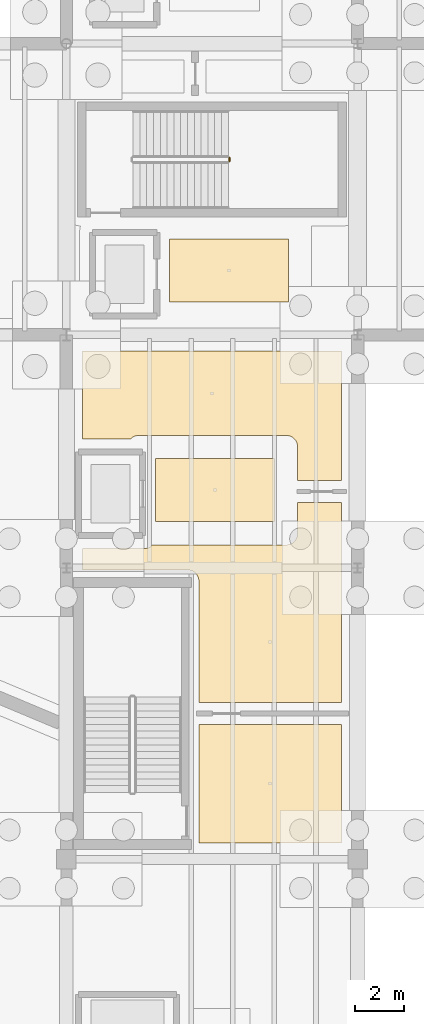
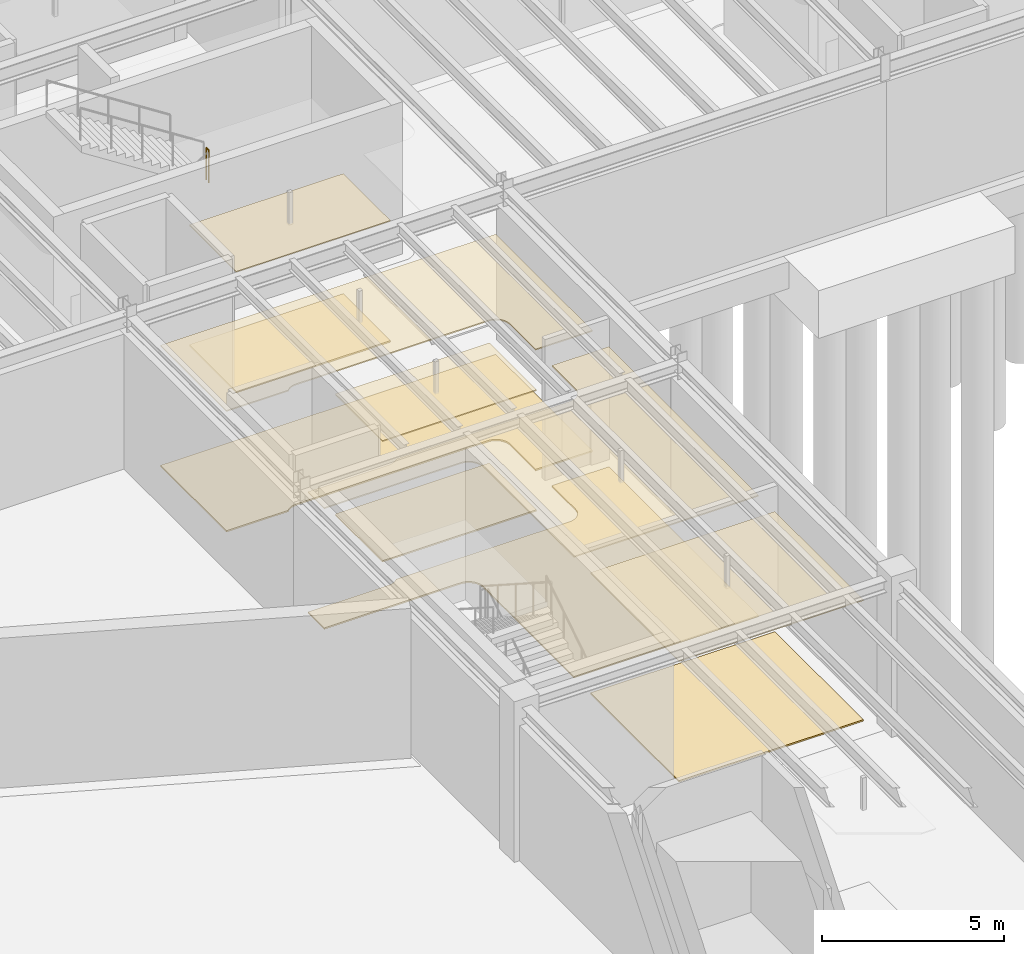
# One storey, part 64 of 67: 10 coverings, 1 railing.
"""IFC4 building model written with IfcOpenShell, lengths in metres."""

from ifc_helpers import new_model, si_unit, direction, frame, origin, origin_2d, place, context, subcontext, project, spatial, polyline, circle, outline, extrude, material, layer, layer_set, type_object, element, save


model = new_model("IFC4")

# Units and contexts
model_context = context("Model", 3, precision=1e-05, world=origin(), true_north=direction((0.0, 1.0)))
body_context = subcontext(model_context, "Body", "Model", "MODEL_VIEW")
ifc_project = project(units=[si_unit("LENGTHUNIT", "METRE"), si_unit("AREAUNIT", "SQUARE_METRE"), si_unit("VOLUMEUNIT", "CUBIC_METRE"), si_unit("PLANEANGLEUNIT", "RADIAN"), si_unit("MASSUNIT", "GRAM", prefix="KILO")], contexts=[model_context])

# Site, building, storey
site_placement = place(None, origin())
site = spatial("IfcSite", under=ifc_project, at=site_placement, CompositionType="ELEMENT")
building_placement = place(site_placement, origin())
building = spatial("IfcBuilding", under=site, at=building_placement, Name="Zlatogorsky Bluff Art Gallery", CompositionType="ELEMENT")
storey_placement = place(building_placement, frame((0.0, 0.0, -5.39990234375)))
storey = spatial("IfcBuildingStorey", under=building, at=storey_placement, Name="B1", CompositionType="ELEMENT", Elevation=-5.39990234375)

# Coverings
ifc_material_1 = material(Name="Perforated Gypsum Acoustic Board", Category="gypsum")
ifc_layer_1 = layer(ifc_material_1, 0.0400390625)
ifc_layer_set_1 = layer_set([ifc_layer_1], Name="Acoustic Gallery Ceiling CLG-01")
covering_type_1 = type_object("IfcCoveringType", Name="Acoustic Gallery Ceiling CLG-01", PredefinedType="CEILING", material=ifc_layer_set_1)
covering_1_placement = place(storey_placement, frame((0.0, 0.0, 4.0498046875)))
element("IfcCovering", 1, at=covering_1_placement, inside=storey, type_object=covering_type_1, Name="Firefighting Lift Lobby FL-1 acoustic ceiling", PredefinedType="CEILING", context=body_context, shape_type="SweptSolid", body=[
    extrude(outline(polyline([(128.570068359375, 78.89990234375), (128.570068359375, 76.300048828125), (123.669921875, 76.300048828125), (123.669921875, 78.89990234375), (128.570068359375, 78.89990234375)])), origin(), (0.0, 0.0, 1.0), 0.0400390625),
])
covering_2_placement = place(storey_placement, frame((0.0, 0.0, 4.0498046875)))
element("IfcCovering", 2, at=covering_2_placement, inside=storey, type_object=covering_type_1, Name="Firefighting Lift Lobby FL-2 acoustic ceiling", PredefinedType="CEILING", context=body_context, shape_type="SweptSolid", body=[
    extrude(outline(polyline([(129.14990234375, 87.949951171875), (129.14990234375, 85.35009765625), (124.25, 85.35009765625), (124.25, 87.949951171875), (129.14990234375, 87.949951171875)])), origin(), (0.0, 0.0, 1.0), 0.0400390625),
])
covering_3_placement = place(storey_placement, frame((0.0, 0.0, 4.0498046875)))
element("IfcCovering", 3, at=covering_3_placement, inside=storey, type_object=covering_type_1, Name="B1 Art-Handling Corridor acoustic ceiling", PredefinedType="CEILING", context=body_context, shape_type="SweptSolid", body=[
    extrude(outline(polyline([(125.4599609375, 67.949951171875), (131.330078125, 67.949951171875), (131.330078125, 63.070068359375), (125.4599609375, 63.070068359375), (125.4599609375, 67.949951171875)])), origin(), (0.0, 0.0, 1.0), 0.0400390625),
])
covering_4_placement = place(storey_placement, frame((0.0, 0.0, 4.0498046875)))
element("IfcCovering", 4, at=covering_4_placement, inside=storey, type_object=covering_type_1, Name="B1 Art-Handling Corridor acoustic ceiling", PredefinedType="CEILING", context=body_context, shape_type="SweptSolid", body=[
    extrude(outline(polyline([(123.219970703125, 75.199951171875), (123.26416015625, 75.2021484375), (123.307861328125, 75.20849609375), (123.3505859375, 75.219482421875), (123.39208984375, 75.234375), (123.43212890625, 75.253173828125), (123.469970703125, 75.27587890625), (123.505615234375, 75.302001953125), (123.5380859375, 75.331787109375), (123.5546875, 75.35009765625), (129.070068359375, 75.35009765625), (129.114013671875, 75.352294921875), (129.15771484375, 75.358642578125), (129.20068359375, 75.369384765625), (129.2421875, 75.38427734375), (129.281982421875, 75.403076171875), (129.320068359375, 75.42578125), (129.35546875, 75.4521484375), (129.38818359375, 75.481689453125), (129.41796875, 75.514404296875), (129.444091796875, 75.550048828125), (129.466796875, 75.587890625), (129.485595703125, 75.627685546875), (129.50048828125, 75.66943359375), (129.511474609375, 75.712158203125), (129.517822265625, 75.755859375), (129.52001953125, 75.800048828125), (129.52001953125, 77.094970703125), (131.330078125, 77.094970703125), (131.330078125, 68.85009765625), (125.4599609375, 68.85009765625), (125.4599609375, 73.85107421875), (125.457763671875, 73.895263671875), (125.451416015625, 73.939208984375), (125.451171875, 73.940185546875), (125.44921875, 73.94970703125), (125.448974609375, 73.950439453125), (125.43701171875, 73.993896484375), (125.4208984375, 74.03564453125), (125.42041015625, 74.03662109375), (125.419921875, 74.03759765625), (125.402099609375, 74.0732421875), (125.401611328125, 74.07421875), (125.382080078125, 74.106201171875), (125.359619140625, 74.13671875), (125.3583984375, 74.13818359375), (125.3251953125, 74.17529296875), (125.2880859375, 74.20849609375), (125.28662109375, 74.209716796875), (125.25634765625, 74.23193359375), (125.22412109375, 74.251708984375), (125.22314453125, 74.252197265625), (125.1875, 74.27001953125), (125.185791015625, 74.270751953125), (125.143798828125, 74.287109375), (125.1005859375, 74.298828125), (125.099609375, 74.299072265625), (125.09033203125, 74.301025390625), (125.08935546875, 74.30126953125), (125.04541015625, 74.307861328125), (125.0009765625, 74.31005859375), (120.669921875, 74.31005859375), (120.669921875, 75.199951171875), (123.219970703125, 75.199951171875)])), origin(), (0.0, 0.0, 1.0), 0.0400390625),
])
covering_5_placement = place(storey_placement, frame((0.0, 0.0, 4.0498046875)))
element("IfcCovering", 5, at=covering_5_placement, inside=storey, type_object=covering_type_1, Name="B1 Art-Handling Corridor acoustic ceiling", PredefinedType="CEILING", context=body_context, shape_type="SweptSolid", body=[
    extrude(outline(polyline([(120.669921875, 83.330078125), (131.330078125, 83.330078125), (131.330078125, 77.9951171875), (129.52001953125, 77.9951171875), (129.52001953125, 79.39990234375), (129.517822265625, 79.444091796875), (129.511474609375, 79.48779296875), (129.50048828125, 79.530517578125), (129.485595703125, 79.572265625), (129.466796875, 79.612060546875), (129.444091796875, 79.64990234375), (129.41796875, 79.685546875), (129.38818359375, 79.71826171875), (129.35546875, 79.747802734375), (129.320068359375, 79.774169921875), (129.281982421875, 79.796875), (129.2421875, 79.815673828125), (129.20068359375, 79.83056640625), (129.15771484375, 79.84130859375), (129.114013671875, 79.847900390625), (129.070068359375, 79.85009765625), (122.969970703125, 79.85009765625), (122.92578125, 79.847900390625), (122.882080078125, 79.84130859375), (122.83935546875, 79.83056640625), (122.7978515625, 79.815673828125), (122.7578125, 79.796875), (122.719970703125, 79.774169921875), (122.6845703125, 79.747802734375), (122.65185546875, 79.71826171875), (122.63525390625, 79.699951171875), (120.669921875, 79.699951171875), (120.669921875, 83.330078125)])), origin(), (0.0, 0.0, 1.0), 0.0400390625),
])

# Railing
ifc_material_2 = material(Name="Architectural Bronze and Laminated Glass", Category="glass")
railing_type = type_object("IfcRailingType", Name="Gallery Guard Rail 1100mm", PredefinedType="GUARDRAIL", material=ifc_material_2)
railing_placement = place(storey_placement, frame((126.719970703125, 91.14990234375, 2.699951171875)))
element("IfcRailing", 6, at=railing_placement, inside=storey, type_object=railing_type, Name="B1 ST-02 stair guard 2", PredefinedType="GUARDRAIL", context=body_context, shape_type="SweptSolid", body=[
    extrude(circle(Radius=0.02392578125, at=origin_2d()), frame((0.0, 0.0, 1.076171875), z_axis=(0.0, 1.0, 0.0), x_axis=(-1.0, 0.0, 0.0)), (0.0, 0.0, 1.0), 0.150146484375),
    extrude(circle(Radius=0.02099609375, at=origin_2d()), origin(), (0.0, 0.0, 1.0), 1.052001953125),
    extrude(circle(Radius=0.02099609375, at=origin_2d()), frame((0.0, 0.150146484375, 0.0)), (0.0, 0.0, 1.0), 1.052001953125),
])

# Coverings
ifc_material_3 = material(Name="Polished Ural Marble Terrazzo", Category="masonry")
ifc_layer_2 = layer(ifc_material_3, 0.050048828125)
ifc_layer_set_2 = layer_set([ifc_layer_2], Name="Terrazzo Gallery Flooring FLR-01")
covering_type_2 = type_object("IfcCoveringType", Name="Terrazzo Gallery Flooring FLR-01", PredefinedType="FLOORING", material=ifc_layer_set_2)
covering_6_placement = place(storey_placement, origin())
element("IfcCovering", 7, at=covering_6_placement, inside=storey, type_object=covering_type_2, Name="Firefighting Lift Lobby FL-1 terrazzo floor finish", PredefinedType="FLOORING", context=body_context, shape_type="SweptSolid", body=[
    extrude(outline(polyline([(128.570068359375, 78.89990234375), (128.570068359375, 76.300048828125), (123.669921875, 76.300048828125), (123.669921875, 78.89990234375), (128.570068359375, 78.89990234375)])), origin(), (0.0, 0.0, 1.0), 0.0498046875),
])
covering_7_placement = place(storey_placement, origin())
element("IfcCovering", 8, at=covering_7_placement, inside=storey, type_object=covering_type_2, Name="Firefighting Lift Lobby FL-2 terrazzo floor finish", PredefinedType="FLOORING", context=body_context, shape_type="SweptSolid", body=[
    extrude(outline(polyline([(129.14990234375, 87.949951171875), (129.14990234375, 85.35009765625), (124.25, 85.35009765625), (124.25, 87.949951171875), (129.14990234375, 87.949951171875)])), origin(), (0.0, 0.0, 1.0), 0.0498046875),
])
covering_8_placement = place(storey_placement, origin())
element("IfcCovering", 9, at=covering_8_placement, inside=storey, type_object=covering_type_2, Name="B1 Art-Handling Corridor terrazzo floor finish", PredefinedType="FLOORING", context=body_context, shape_type="SweptSolid", body=[
    extrude(outline(polyline([(125.4599609375, 67.949951171875), (131.330078125, 67.949951171875), (131.330078125, 63.070068359375), (125.4599609375, 63.070068359375), (125.4599609375, 67.949951171875)])), origin(), (0.0, 0.0, 1.0), 0.0498046875),
])
covering_9_placement = place(storey_placement, origin())
element("IfcCovering", 10, at=covering_9_placement, inside=storey, type_object=covering_type_2, Name="B1 Art-Handling Corridor terrazzo floor finish", PredefinedType="FLOORING", context=body_context, shape_type="SweptSolid", body=[
    extrude(outline(polyline([(123.219970703125, 75.199951171875), (123.26416015625, 75.2021484375), (123.307861328125, 75.20849609375), (123.3505859375, 75.219482421875), (123.39208984375, 75.234375), (123.43212890625, 75.253173828125), (123.469970703125, 75.27587890625), (123.505615234375, 75.302001953125), (123.5380859375, 75.331787109375), (123.5546875, 75.35009765625), (129.070068359375, 75.35009765625), (129.114013671875, 75.352294921875), (129.15771484375, 75.358642578125), (129.20068359375, 75.369384765625), (129.2421875, 75.38427734375), (129.281982421875, 75.403076171875), (129.320068359375, 75.42578125), (129.35546875, 75.4521484375), (129.38818359375, 75.481689453125), (129.41796875, 75.514404296875), (129.444091796875, 75.550048828125), (129.466796875, 75.587890625), (129.485595703125, 75.627685546875), (129.50048828125, 75.66943359375), (129.511474609375, 75.712158203125), (129.517822265625, 75.755859375), (129.52001953125, 75.800048828125), (129.52001953125, 77.094970703125), (131.330078125, 77.094970703125), (131.330078125, 68.85009765625), (125.4599609375, 68.85009765625), (125.4599609375, 73.85107421875), (125.457763671875, 73.895263671875), (125.451416015625, 73.939208984375), (125.451171875, 73.940185546875), (125.44921875, 73.94970703125), (125.448974609375, 73.950439453125), (125.43701171875, 73.993896484375), (125.4208984375, 74.03564453125), (125.42041015625, 74.03662109375), (125.419921875, 74.03759765625), (125.402099609375, 74.0732421875), (125.401611328125, 74.07421875), (125.382080078125, 74.106201171875), (125.359619140625, 74.13671875), (125.3583984375, 74.13818359375), (125.3251953125, 74.17529296875), (125.2880859375, 74.20849609375), (125.28662109375, 74.209716796875), (125.25634765625, 74.23193359375), (125.22412109375, 74.251708984375), (125.22314453125, 74.252197265625), (125.1875, 74.27001953125), (125.185791015625, 74.270751953125), (125.143798828125, 74.287109375), (125.1005859375, 74.298828125), (125.099609375, 74.299072265625), (125.09033203125, 74.301025390625), (125.08935546875, 74.30126953125), (125.04541015625, 74.307861328125), (125.0009765625, 74.31005859375), (120.669921875, 74.31005859375), (120.669921875, 75.199951171875), (123.219970703125, 75.199951171875)])), origin(), (0.0, 0.0, 1.0), 0.0498046875),
])
covering_10_placement = place(storey_placement, origin())
element("IfcCovering", 11, at=covering_10_placement, inside=storey, type_object=covering_type_2, Name="B1 Art-Handling Corridor terrazzo floor finish", PredefinedType="FLOORING", context=body_context, shape_type="SweptSolid", body=[
    extrude(outline(polyline([(120.669921875, 83.330078125), (131.330078125, 83.330078125), (131.330078125, 77.9951171875), (129.52001953125, 77.9951171875), (129.52001953125, 79.39990234375), (129.517822265625, 79.444091796875), (129.511474609375, 79.48779296875), (129.50048828125, 79.530517578125), (129.485595703125, 79.572265625), (129.466796875, 79.612060546875), (129.444091796875, 79.64990234375), (129.41796875, 79.685546875), (129.38818359375, 79.71826171875), (129.35546875, 79.747802734375), (129.320068359375, 79.774169921875), (129.281982421875, 79.796875), (129.2421875, 79.815673828125), (129.20068359375, 79.83056640625), (129.15771484375, 79.84130859375), (129.114013671875, 79.847900390625), (129.070068359375, 79.85009765625), (122.969970703125, 79.85009765625), (122.92578125, 79.847900390625), (122.882080078125, 79.84130859375), (122.83935546875, 79.83056640625), (122.7978515625, 79.815673828125), (122.7578125, 79.796875), (122.719970703125, 79.774169921875), (122.6845703125, 79.747802734375), (122.65185546875, 79.71826171875), (122.63525390625, 79.699951171875), (120.669921875, 79.699951171875), (120.669921875, 83.330078125)])), origin(), (0.0, 0.0, 1.0), 0.0498046875),
])

save(model, "model.ifc")
